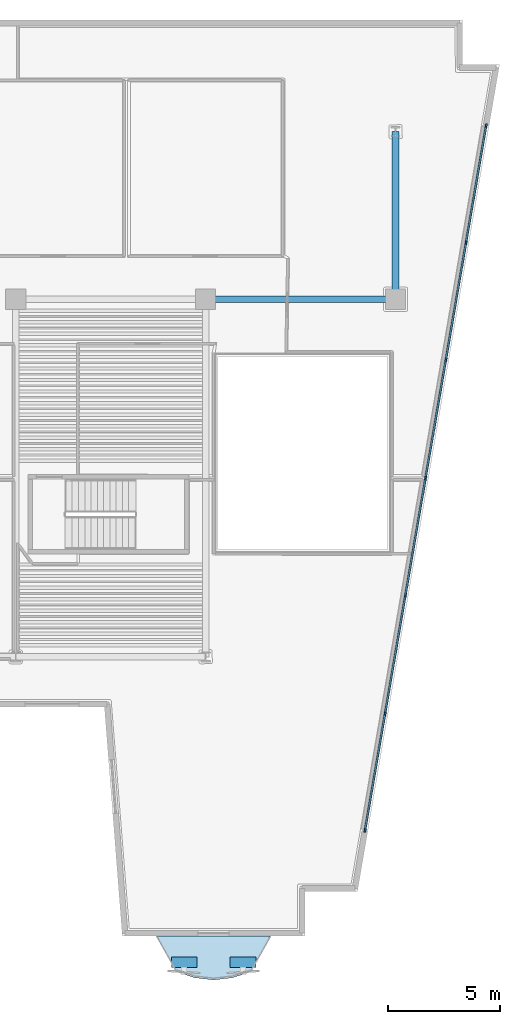
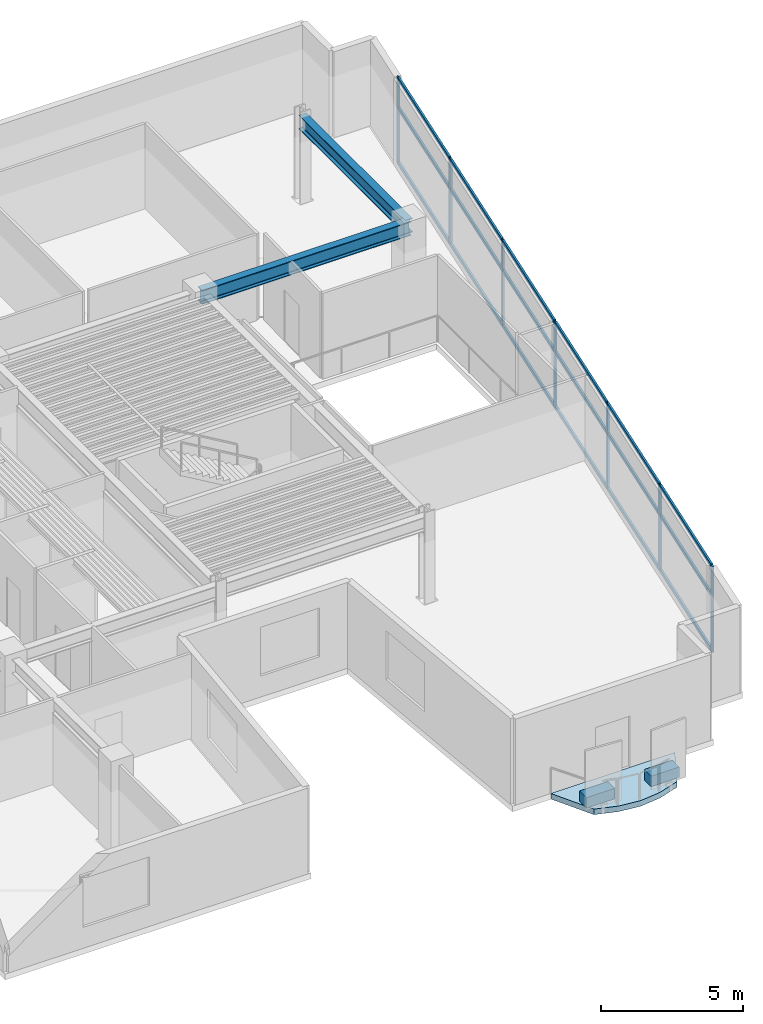
# One storey, part 2 of 10: 25 members, 2 beams, 2 plates, 1 slab, 1 element without a shape of its own.
"""IFC4 building model written with IfcOpenShell, lengths in metres."""

from ifc_helpers import new_model, si_unit, direction, frame, origin, origin_2d, place, context, subcontext, project, spatial, polyline, rectangle, i_section, outline, extrude, material, layer, layer_set, material_profile, profile_set, type_object, element, aggregate, save


model = new_model("IFC4")

# Units and contexts
model_context = context("Model", 3, precision=1e-05, world=origin(), true_north=direction((0.0, 1.0)))
body_context = subcontext(model_context, "Body", "Model", "MODEL_VIEW")
ifc_project = project(units=[si_unit("LENGTHUNIT", "METRE"), si_unit("AREAUNIT", "SQUARE_METRE"), si_unit("VOLUMEUNIT", "CUBIC_METRE"), si_unit("PLANEANGLEUNIT", "RADIAN"), si_unit("MASSUNIT", "GRAM", prefix="KILO")], contexts=[model_context])

# Site, building, storey
site_placement = place(None, origin())
site = spatial("IfcSite", under=ifc_project, at=site_placement, CompositionType="ELEMENT")
building_placement = place(site_placement, origin())
building = spatial("IfcBuilding", under=site, at=building_placement, Name="Caeloran Harvest Quay", CompositionType="ELEMENT")
storey_placement = place(building_placement, frame((0.0, 0.0, 191.64990234375)))
storey = spatial("IfcBuildingStorey", under=building, at=storey_placement, Name="L45", CompositionType="ELEMENT", Elevation=191.64990234375)

# Beams
ifc_material_1 = material(Name="Steel S355J2", Category="steel")
ifc_material_profile_1 = material_profile(ifc_material_1, i_section(OverallWidth=0.300048828125, OverallDepth=0.60009765625, WebThickness=0.015380859375, FlangeThickness=0.030029296875, FilletRadius=0.027099609375, at=origin_2d()), Name="HE 600 B")
ifc_profile_set_1 = profile_set([ifc_material_profile_1], Name="Steel S355J2")
beam_type = type_object("IfcBeamType", Name="BM-PG-3-HE_600_B", PredefinedType="BEAM", material=ifc_profile_set_1)
beam_1_placement = place(storey_placement, frame((34.0, 31.0, 3.400146484375), z_axis=(1.0, 0.0, 0.0), x_axis=(0.0, 1.0, 0.0)))
element("IfcBeam", 1, at=beam_1_placement, inside=storey, type_object=beam_type, Name="L45 Primary East-West Girder Y=31.0", PredefinedType="BEAM", context=body_context, shape_type="SweptSolid", body=[
    extrude(i_section(OverallWidth=0.300048828125, OverallDepth=0.60009765625, WebThickness=0.015380859375, FlangeThickness=0.030029296875, FilletRadius=0.027099609375, at=origin_2d()), origin(), (0.0, 0.0, 1.0), 8.5),
])
beam_2_placement = place(storey_placement, frame((42.5, 31.0, 3.400146484375), z_axis=(0.0, 1.0, 0.0), x_axis=(-1.0, 0.0, 0.0)))
element("IfcBeam", 2, at=beam_2_placement, inside=storey, type_object=beam_type, Name="L45 Primary North-South Girder X=42.5", PredefinedType="BEAM", context=body_context, shape_type="SweptSolid", body=[
    extrude(i_section(OverallWidth=0.300048828125, OverallDepth=0.60009765625, WebThickness=0.015380859375, FlangeThickness=0.030029296875, FilletRadius=0.027099609375, at=origin_2d()), origin(), (0.0, 0.0, 1.0), 7.5),
])

# Curtain wall, members
ifc_material_2 = material(Name="Aluminium 6063-T6 and Low-E Glazing", Category="aluminium")
ifc_layer_1 = layer(ifc_material_2, 0.2099609375, Name="Aluminium 6063-T6 and Low-E Glazing")
ifc_layer_set_1 = layer_set([ifc_layer_1], Name="Aluminium 6063-T6 and Low-E Glazing")
curtain_wall_type = type_object("IfcCurtainWallType", Name="CW-SYS-CW-4", PredefinedType="USERDEFINED", material=ifc_layer_set_1)
curtain_wall_placement = place(storey_placement, origin())
curtain_wall = element("IfcCurtainWall", 3, at=curtain_wall_placement, inside=storey, type_object=curtain_wall_type, Name="L45 Unitised Curtain Wall CW-4 Run 9", ObjectType="CURTAIN_WALL", PredefinedType="USERDEFINED")
ifc_material_3 = material(Name="Aluminium 6063-T6", Category="aluminium")
ifc_material_profile_2 = material_profile(ifc_material_3, rectangle(XDim=0.080078125, YDim=0.179931640625, at=origin_2d()), Name="CW-MULLION-180")
ifc_profile_set_2 = profile_set([ifc_material_profile_2], Name="Aluminium 6063-T6")
member_type_1 = type_object("IfcMemberType", Name="CW-MULLION-180", PredefinedType="MULLION", material=ifc_profile_set_2)
member_1_placement = place(storey_placement, frame((46.5546875, 38.76806640625, 0.0), z_axis=(0.0, 0.0, 1.0), x_axis=(0.985548695604, -0.169392351048, 0.0)))
member_1 = element("IfcMember", 4, at=member_1_placement, type_object=member_type_1, Name="CW-4 mullion 1", PredefinedType="MULLION", context=body_context, shape_type="SweptSolid", body=[
    extrude(rectangle(XDim=0.080078125, YDim=0.179931640625, at=origin_2d()), origin(), (0.0, 0.0, 1.0), 3.7001953125),
])
member_2_placement = place(storey_placement, frame((45.65576171875, 33.538330078125, 0.0), z_axis=(0.0, 0.0, 1.0), x_axis=(0.985548695604, -0.169392351048, 0.0)))
member_2 = element("IfcMember", 5, at=member_2_placement, type_object=member_type_1, Name="CW-4 mullion 2", PredefinedType="MULLION", context=body_context, shape_type="SweptSolid", body=[
    extrude(rectangle(XDim=0.080078125, YDim=0.179931640625, at=origin_2d()), origin(), (0.0, 0.0, 1.0), 3.7001953125),
])
member_3_placement = place(storey_placement, frame((44.750244140625, 28.269287109375, 0.0), z_axis=(0.0, 0.0, 1.0), x_axis=(0.985548695604, -0.169392351048, 0.0)))
member_3 = element("IfcMember", 6, at=member_3_placement, type_object=member_type_1, Name="CW-4 mullion 3", PredefinedType="MULLION", context=body_context, shape_type="SweptSolid", body=[
    extrude(rectangle(XDim=0.080078125, YDim=0.179931640625, at=origin_2d()), origin(), (0.0, 0.0, 1.0), 3.7001953125),
])
member_4_placement = place(storey_placement, frame((43.844482421875, 23.0, 0.0), z_axis=(0.0, 0.0, 1.0), x_axis=(0.985548695604, -0.169392351048, 0.0)))
member_4 = element("IfcMember", 7, at=member_4_placement, type_object=member_type_1, Name="CW-4 mullion 4", PredefinedType="MULLION", context=body_context, shape_type="SweptSolid", body=[
    extrude(rectangle(XDim=0.080078125, YDim=0.179931640625, at=origin_2d()), origin(), (0.0, 0.0, 1.0), 3.7001953125),
])
member_5_placement = place(storey_placement, frame((42.93896484375, 17.730712890625, 0.0), z_axis=(0.0, 0.0, 1.0), x_axis=(0.985548695604, -0.169392351048, 0.0)))
member_5 = element("IfcMember", 8, at=member_5_placement, type_object=member_type_1, Name="CW-4 mullion 5", PredefinedType="MULLION", context=body_context, shape_type="SweptSolid", body=[
    extrude(rectangle(XDim=0.080078125, YDim=0.179931640625, at=origin_2d()), origin(), (0.0, 0.0, 1.0), 3.7001953125),
])
member_6_placement = place(storey_placement, frame((42.033203125, 12.461669921875, 0.0), z_axis=(0.0, 0.0, 1.0), x_axis=(0.985548695604, -0.169392351048, 0.0)))
member_6 = element("IfcMember", 9, at=member_6_placement, type_object=member_type_1, Name="CW-4 mullion 6", PredefinedType="MULLION", context=body_context, shape_type="SweptSolid", body=[
    extrude(rectangle(XDim=0.080078125, YDim=0.179931640625, at=origin_2d()), origin(), (0.0, 0.0, 1.0), 3.7001953125),
])
member_7_placement = place(storey_placement, frame((41.13427734375, 7.23193359375, 0.0), z_axis=(0.0, 0.0, 1.0), x_axis=(0.985548695604, -0.169392351048, 0.0)))
member_7 = element("IfcMember", 10, at=member_7_placement, type_object=member_type_1, Name="CW-4 mullion 7", PredefinedType="MULLION", context=body_context, shape_type="SweptSolid", body=[
    extrude(rectangle(XDim=0.080078125, YDim=0.179931640625, at=origin_2d()), origin(), (0.0, 0.0, 1.0), 3.7001953125),
])
ifc_material_profile_3 = material_profile(ifc_material_3, rectangle(XDim=0.080078125, YDim=0.14990234375, at=origin_2d()), Name="CW-TRANSOM-150")
ifc_profile_set_3 = profile_set([ifc_material_profile_3], Name="Aluminium 6063-T6")
member_type_2 = type_object("IfcMemberType", Name="CW-TRANSOM-150", PredefinedType="USERDEFINED", material=ifc_profile_set_3)
member_8_placement = place(storey_placement, frame((46.5478515625, 38.728759765625, 0.0400390625), z_axis=(-0.169381290327, -0.985550596614, 0.0), x_axis=(0.985550596614, -0.169381290327, 0.0)))
member_8 = element("IfcMember", 11, at=member_8_placement, type_object=member_type_2, Name="CW-4 transom 1.1", ObjectType="TRANSOM", PredefinedType="USERDEFINED", context=body_context, shape_type="SweptSolid", body=[
    extrude(rectangle(XDim=0.080078125, YDim=0.14990234375, at=origin_2d()), origin(), (0.0, 0.0, 1.0), 5.226318359375),
])
member_9_placement = place(storey_placement, frame((46.5478515625, 38.728759765625, 2.400146484375), z_axis=(-0.169381290327, -0.985550596614, 0.0), x_axis=(0.985550596614, -0.169381290327, 0.0)))
member_9 = element("IfcMember", 12, at=member_9_placement, type_object=member_type_2, Name="CW-4 transom 1.2", ObjectType="TRANSOM", PredefinedType="USERDEFINED", context=body_context, shape_type="SweptSolid", body=[
    extrude(rectangle(XDim=0.080078125, YDim=0.14990234375, at=origin_2d()), origin(), (0.0, 0.0, 1.0), 5.226318359375),
])
member_10_placement = place(storey_placement, frame((46.5478515625, 38.728759765625, 3.66015625), z_axis=(-0.169381290327, -0.985550596614, 0.0), x_axis=(0.985550596614, -0.169381290327, 0.0)))
member_10 = element("IfcMember", 13, at=member_10_placement, type_object=member_type_2, Name="CW-4 transom 1.3", ObjectType="TRANSOM", PredefinedType="USERDEFINED", context=body_context, shape_type="SweptSolid", body=[
    extrude(rectangle(XDim=0.080078125, YDim=0.14990234375, at=origin_2d()), origin(), (0.0, 0.0, 1.0), 5.226318359375),
])
member_11_placement = place(storey_placement, frame((45.649169921875, 33.4990234375, 0.0400390625), z_axis=(-0.169388401421, -0.985549374442, 0.0), x_axis=(0.985549374442, -0.169388401421, 0.0)))
member_11 = element("IfcMember", 14, at=member_11_placement, type_object=member_type_2, Name="CW-4 transom 2.1", ObjectType="TRANSOM", PredefinedType="USERDEFINED", context=body_context, shape_type="SweptSolid", body=[
    extrude(rectangle(XDim=0.080078125, YDim=0.14990234375, at=origin_2d()), origin(), (0.0, 0.0, 1.0), 5.2666015625),
])
member_12_placement = place(storey_placement, frame((45.649169921875, 33.4990234375, 2.400146484375), z_axis=(-0.169388401421, -0.985549374442, 0.0), x_axis=(0.985549374442, -0.169388401421, 0.0)))
member_12 = element("IfcMember", 15, at=member_12_placement, type_object=member_type_2, Name="CW-4 transom 2.2", ObjectType="TRANSOM", PredefinedType="USERDEFINED", context=body_context, shape_type="SweptSolid", body=[
    extrude(rectangle(XDim=0.080078125, YDim=0.14990234375, at=origin_2d()), origin(), (0.0, 0.0, 1.0), 5.2666015625),
])
member_13_placement = place(storey_placement, frame((45.649169921875, 33.4990234375, 3.66015625), z_axis=(-0.169388401421, -0.985549374442, 0.0), x_axis=(0.985549374442, -0.169388401421, 0.0)))
member_13 = element("IfcMember", 16, at=member_13_placement, type_object=member_type_2, Name="CW-4 transom 2.3", ObjectType="TRANSOM", PredefinedType="USERDEFINED", context=body_context, shape_type="SweptSolid", body=[
    extrude(rectangle(XDim=0.080078125, YDim=0.14990234375, at=origin_2d()), origin(), (0.0, 0.0, 1.0), 5.2666015625),
])
member_14_placement = place(storey_placement, frame((44.743408203125, 28.229736328125, 0.0400390625), z_axis=(-0.169388401421, -0.985549374442, 0.0), x_axis=(0.985549374442, -0.169388401421, 0.0)))
member_14 = element("IfcMember", 17, at=member_14_placement, type_object=member_type_2, Name="CW-4 transom 3.1", ObjectType="TRANSOM", PredefinedType="USERDEFINED", context=body_context, shape_type="SweptSolid", body=[
    extrude(rectangle(XDim=0.080078125, YDim=0.14990234375, at=origin_2d()), origin(), (0.0, 0.0, 1.0), 5.2666015625),
])
member_15_placement = place(storey_placement, frame((44.743408203125, 28.229736328125, 2.400146484375), z_axis=(-0.169388401421, -0.985549374442, 0.0), x_axis=(0.985549374442, -0.169388401421, 0.0)))
member_15 = element("IfcMember", 18, at=member_15_placement, type_object=member_type_2, Name="CW-4 transom 3.2", ObjectType="TRANSOM", PredefinedType="USERDEFINED", context=body_context, shape_type="SweptSolid", body=[
    extrude(rectangle(XDim=0.080078125, YDim=0.14990234375, at=origin_2d()), origin(), (0.0, 0.0, 1.0), 5.2666015625),
])
member_16_placement = place(storey_placement, frame((44.743408203125, 28.229736328125, 3.66015625), z_axis=(-0.169388401421, -0.985549374442, 0.0), x_axis=(0.985549374442, -0.169388401421, 0.0)))
member_16 = element("IfcMember", 19, at=member_16_placement, type_object=member_type_2, Name="CW-4 transom 3.3", ObjectType="TRANSOM", PredefinedType="USERDEFINED", context=body_context, shape_type="SweptSolid", body=[
    extrude(rectangle(XDim=0.080078125, YDim=0.14990234375, at=origin_2d()), origin(), (0.0, 0.0, 1.0), 5.2666015625),
])
member_17_placement = place(storey_placement, frame((43.837890625, 22.960693359375, 0.0400390625), z_axis=(-0.169433427775, -0.985541634611, 0.0), x_axis=(0.985541634611, -0.169433427775, 0.0)))
member_17 = element("IfcMember", 20, at=member_17_placement, type_object=member_type_2, Name="CW-4 transom 4.1", ObjectType="TRANSOM", PredefinedType="USERDEFINED", context=body_context, shape_type="SweptSolid", body=[
    extrude(rectangle(XDim=0.080078125, YDim=0.14990234375, at=origin_2d()), origin(), (0.0, 0.0, 1.0), 5.2666015625),
])
member_18_placement = place(storey_placement, frame((43.837890625, 22.960693359375, 2.400146484375), z_axis=(-0.169433427775, -0.985541634611, 0.0), x_axis=(0.985541634611, -0.169433427775, 0.0)))
member_18 = element("IfcMember", 21, at=member_18_placement, type_object=member_type_2, Name="CW-4 transom 4.2", ObjectType="TRANSOM", PredefinedType="USERDEFINED", context=body_context, shape_type="SweptSolid", body=[
    extrude(rectangle(XDim=0.080078125, YDim=0.14990234375, at=origin_2d()), origin(), (0.0, 0.0, 1.0), 5.2666015625),
])
member_19_placement = place(storey_placement, frame((43.837890625, 22.960693359375, 3.66015625), z_axis=(-0.169433427775, -0.985541634611, 0.0), x_axis=(0.985541634611, -0.169433427775, 0.0)))
member_19 = element("IfcMember", 22, at=member_19_placement, type_object=member_type_2, Name="CW-4 transom 4.3", ObjectType="TRANSOM", PredefinedType="USERDEFINED", context=body_context, shape_type="SweptSolid", body=[
    extrude(rectangle(XDim=0.080078125, YDim=0.14990234375, at=origin_2d()), origin(), (0.0, 0.0, 1.0), 5.2666015625),
])
member_20_placement = place(storey_placement, frame((42.93212890625, 17.69140625, 0.0400390625), z_axis=(-0.169388401421, -0.985549374442, 0.0), x_axis=(0.985549374442, -0.169388401421, 0.0)))
member_20 = element("IfcMember", 23, at=member_20_placement, type_object=member_type_2, Name="CW-4 transom 5.1", ObjectType="TRANSOM", PredefinedType="USERDEFINED", context=body_context, shape_type="SweptSolid", body=[
    extrude(rectangle(XDim=0.080078125, YDim=0.14990234375, at=origin_2d()), origin(), (0.0, 0.0, 1.0), 5.2666015625),
])
member_21_placement = place(storey_placement, frame((42.93212890625, 17.69140625, 2.400146484375), z_axis=(-0.169388401421, -0.985549374442, 0.0), x_axis=(0.985549374442, -0.169388401421, 0.0)))
member_21 = element("IfcMember", 24, at=member_21_placement, type_object=member_type_2, Name="CW-4 transom 5.2", ObjectType="TRANSOM", PredefinedType="USERDEFINED", context=body_context, shape_type="SweptSolid", body=[
    extrude(rectangle(XDim=0.080078125, YDim=0.14990234375, at=origin_2d()), origin(), (0.0, 0.0, 1.0), 5.2666015625),
])
member_22_placement = place(storey_placement, frame((42.93212890625, 17.69140625, 3.66015625), z_axis=(-0.169388401421, -0.985549374442, 0.0), x_axis=(0.985549374442, -0.169388401421, 0.0)))
member_22 = element("IfcMember", 25, at=member_22_placement, type_object=member_type_2, Name="CW-4 transom 5.3", ObjectType="TRANSOM", PredefinedType="USERDEFINED", context=body_context, shape_type="SweptSolid", body=[
    extrude(rectangle(XDim=0.080078125, YDim=0.14990234375, at=origin_2d()), origin(), (0.0, 0.0, 1.0), 5.2666015625),
])
member_23_placement = place(storey_placement, frame((42.0263671875, 12.422119140625, 0.0400390625), z_axis=(-0.169381290327, -0.985550596614, 0.0), x_axis=(0.985550596614, -0.169381290327, 0.0)))
member_23 = element("IfcMember", 26, at=member_23_placement, type_object=member_type_2, Name="CW-4 transom 6.1", ObjectType="TRANSOM", PredefinedType="USERDEFINED", context=body_context, shape_type="SweptSolid", body=[
    extrude(rectangle(XDim=0.080078125, YDim=0.14990234375, at=origin_2d()), origin(), (0.0, 0.0, 1.0), 5.226318359375),
])
member_24_placement = place(storey_placement, frame((42.0263671875, 12.422119140625, 2.400146484375), z_axis=(-0.169381290327, -0.985550596614, 0.0), x_axis=(0.985550596614, -0.169381290327, 0.0)))
member_24 = element("IfcMember", 27, at=member_24_placement, type_object=member_type_2, Name="CW-4 transom 6.2", ObjectType="TRANSOM", PredefinedType="USERDEFINED", context=body_context, shape_type="SweptSolid", body=[
    extrude(rectangle(XDim=0.080078125, YDim=0.14990234375, at=origin_2d()), origin(), (0.0, 0.0, 1.0), 5.226318359375),
])
member_25_placement = place(storey_placement, frame((42.0263671875, 12.422119140625, 3.66015625), z_axis=(-0.169381290327, -0.985550596614, 0.0), x_axis=(0.985550596614, -0.169381290327, 0.0)))
member_25 = element("IfcMember", 28, at=member_25_placement, type_object=member_type_2, Name="CW-4 transom 6.3", ObjectType="TRANSOM", PredefinedType="USERDEFINED", context=body_context, shape_type="SweptSolid", body=[
    extrude(rectangle(XDim=0.080078125, YDim=0.14990234375, at=origin_2d()), origin(), (0.0, 0.0, 1.0), 5.226318359375),
])
aggregate(curtain_wall, [member_1, member_2, member_3, member_4, member_5, member_6, member_7, member_8, member_9, member_10, member_11, member_12, member_13, member_14, member_15, member_16, member_17, member_18, member_19, member_20, member_21, member_22, member_23, member_24, member_25])

# Slab
ifc_material_4 = material(Name="Concrete C50/60", Category="concrete")
ifc_layer_2 = layer(ifc_material_4, 0.239990234375, Name="Concrete C50/60")
ifc_layer_set_2 = layer_set([ifc_layer_2], Name="Concrete C50/60")
slab_type = type_object("IfcSlabType", Name="BALCONY-BL-240", PredefinedType="FLOOR", material=ifc_layer_set_2)
slab_placement = place(storey_placement, frame((0.0, 0.0, -0.239990234375)))
element("IfcSlab", 29, at=slab_placement, inside=storey, type_object=slab_type, Name="L45 Scalloped Cantilevered Planted Balcony Slab", PredefinedType="FLOOR", context=body_context, shape_type="SweptSolid", body=[
    extrude(outline(polyline([(36.048828125, 0.9072265625), (35.20263671875, 0.63427734375), (34.3564453125, 0.5341796875), (33.51025390625, 0.63427734375), (32.664306640625, 0.9072265625), (31.82861328125, 2.5), (36.884521484375, 2.5), (36.048828125, 0.9072265625)])), origin(), (0.0, 0.0, 1.0), 0.239990234375),
])

# Plates
ifc_material_5 = material(Name="Precast concrete C50/60", Category="concrete")
ifc_layer_3 = layer(ifc_material_5, 0.449951171875, Name="Precast concrete C50/60")
ifc_layer_set_3 = layer_set([ifc_layer_3], Name="Precast concrete C50/60")
plate_type = type_object("IfcPlateType", Name="PLANTER-TROUGH-450", PredefinedType="USERDEFINED", material=ifc_layer_set_3)
for number, where, z_axis, x_axis, name in (
    (30, (35.676513671875, 1.330810546875, 0.0), (0.0, 0.0, 1.0), (1.0, 0.0, 0.0), "L45 Balcony Vertical-Greenery Precast PLANTER Trough 1"),
    (31, (33.03662109375, 1.330810546875, 0.0), (0.0, 0.0, 1.0), (1.0, 0.0, 0.0), "L45 Balcony Vertical-Greenery Precast PLANTER Trough 2"),
):
    element("IfcPlate", number, at=place(storey_placement, frame(where, z_axis=z_axis, x_axis=x_axis)), inside=storey, type_object=plate_type, Name=name, ObjectType="PLANTER", PredefinedType="USERDEFINED", context=body_context, shape_type="SweptSolid", body=[
        extrude(rectangle(XDim=1.14990234375, YDim=0.47998046875, at=origin_2d()), origin(), (0.0, 0.0, 1.0), 0.449951171875),
    ])

save(model, "model.ifc")
